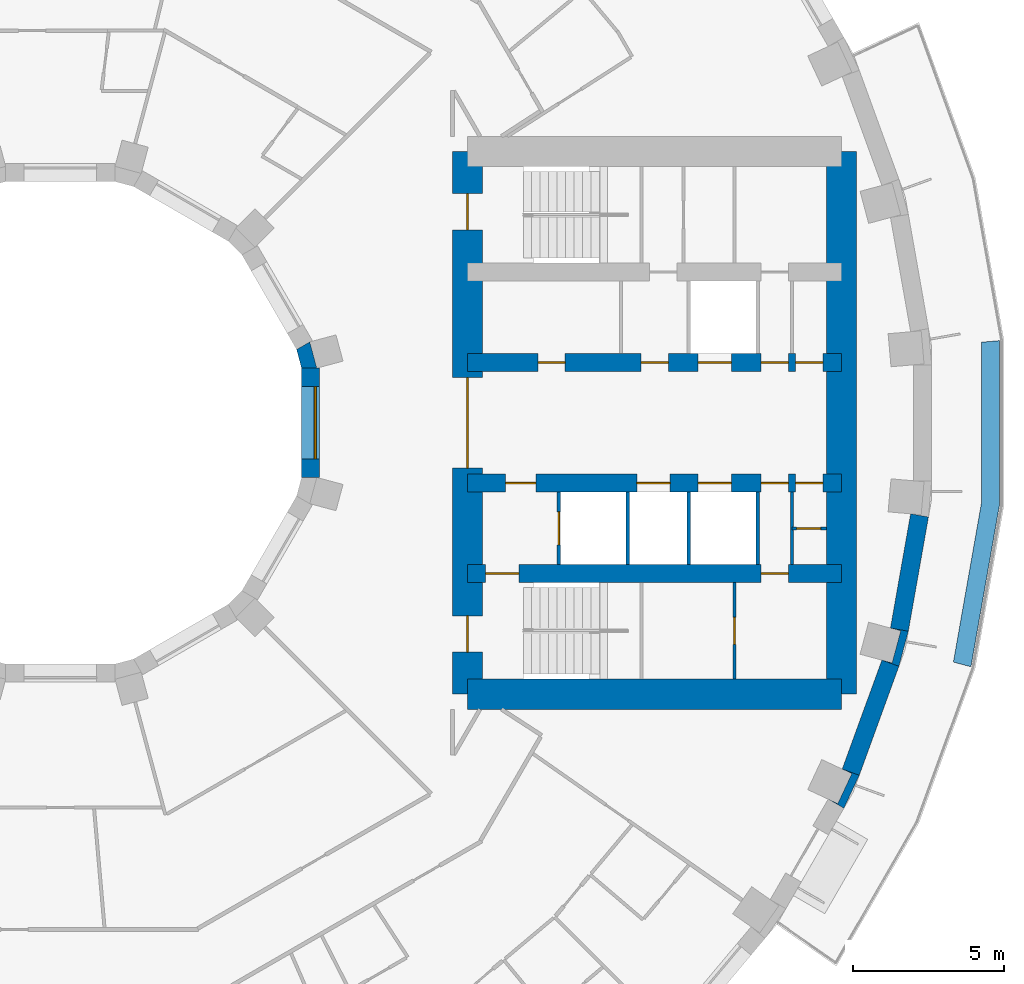
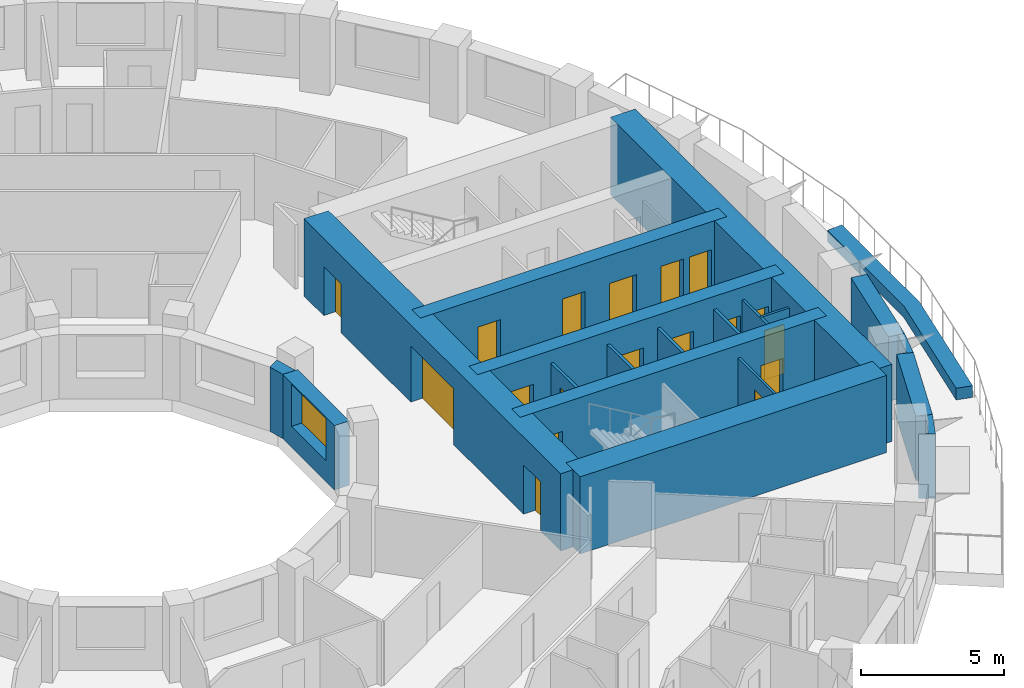
# One storey, part 7 of 14: 20 walls, 18 doors, 1 window, 19 openings.
"""IFC4 building model written with IfcOpenShell, lengths in metres."""

from ifc_helpers import new_model, si_unit, direction, frame, frame_2d, origin, place, context, subcontext, project, spatial, polyline, rectangle, outline, extrude, material, layer, layer_set, type_object, element, fill, save


model = new_model("IFC4")

# Units and contexts
model_context = context("Model", 3, precision=1e-05, world=origin(), true_north=direction((0.0, 1.0)))
body_context = subcontext(model_context, "Body", "Model", "MODEL_VIEW")
ifc_project = project(units=[si_unit("LENGTHUNIT", "METRE"), si_unit("AREAUNIT", "SQUARE_METRE"), si_unit("VOLUMEUNIT", "CUBIC_METRE"), si_unit("PLANEANGLEUNIT", "RADIAN"), si_unit("MASSUNIT", "GRAM", prefix="KILO")], contexts=[model_context])

# Site, building, storey
site_placement = place(None, origin())
site = spatial("IfcSite", under=ifc_project, at=site_placement, CompositionType="ELEMENT")
building_placement = place(site_placement, origin())
building = spatial("IfcBuilding", under=site, at=building_placement, Name="Saqina Gate Tower", CompositionType="ELEMENT")
storey_placement = place(building_placement, frame((0.0, 0.0, 49.39990234375)))
storey = spatial("IfcBuildingStorey", under=building, at=storey_placement, Name="L13", CompositionType="ELEMENT", Elevation=49.39990234375)

# Walls
ifc_material_1 = material(Name="Brick masonry (red)", Category="masonry")
wall_type_1 = type_object("IfcWallType", Name="BRICK PIER COPING RED", PredefinedType="SOLIDWALL", material=ifc_material_1)
wall_1_placement = place(storey_placement, origin())
element("IfcWall", 1, at=wall_1_placement, inside=storey, type_object=wall_type_1, Name="Pier cap L13 column 34", PredefinedType="SOLIDWALL", context=body_context, shape_type="SweptSolid", body=[
    extrude(outline(polyline([(26.48974609375, -11.687744140625), (25.92578125, -11.482666015625), (26.243408203125, -11.630615234375), (25.778564453125, -12.627685546875), (25.4609375, -12.4794921875), (25.980712890625, -12.779541015625), (26.48974609375, -11.687744140625)])), origin(), (0.0, 0.0, 1.0), 2.75),
])
wall_2_placement = place(storey_placement, origin())
element("IfcWall", 2, at=wall_2_placement, inside=storey, type_object=wall_type_1, Name="Pier cap L13 column 35", PredefinedType="SOLIDWALL", context=body_context, shape_type="SweptSolid", body=[
    extrude(outline(polyline([(28.11669921875, -6.910400390625), (27.52587890625, -6.80615234375), (27.864501953125, -6.896728515625), (27.57958984375, -7.95947265625), (27.2412109375, -7.86865234375), (27.80517578125, -8.073974609375), (28.11669921875, -6.910400390625)])), origin(), (0.0, 0.0, 1.0), 2.75),
])
ifc_material_2 = material(Name="Gypsum board on steel studs", Category="steel")
ifc_layer_1 = layer(ifc_material_2, 0.10009765625)
ifc_layer_set_1 = layer_set([ifc_layer_1], Name="CORE PARTITION")
wall_type_2 = type_object("IfcWallType", Name="CORE PARTITION", PredefinedType="PARTITIONING", material=ifc_layer_set_1)
wall_3_placement = place(storey_placement, frame((24.260009765625, -4.699951171875, 0.0), z_axis=(0.0, 0.0, 1.0), x_axis=(0.0, 1.0, 0.0)))
element("IfcWall", 3, at=wall_3_placement, inside=storey, type_object=wall_type_2, Name="L13-CP-E09", PredefinedType="PARTITIONING", context=body_context, shape_type="SweptSolid", body=[
    extrude(rectangle(XDim=2.39990234375, YDim=0.10009765625, at=frame_2d((1.199951171875, 0.0))), origin(), (0.0, 0.0, 1.0), 2.75),
])

# Wall, opening, door
wall_4_placement = place(storey_placement, frame((24.260009765625, -3.5, 0.0), z_axis=(0.0, 0.0, 1.0), x_axis=(1.0, 0.0, 0.0)))
wall_4 = element("IfcWall", 4, at=wall_4_placement, inside=storey, type_object=wall_type_2, Name="L13-CP-E10", PredefinedType="PARTITIONING", context=body_context, shape_type="SweptSolid", body=[
    extrude(rectangle(XDim=1.139892578125, YDim=0.10009765625, at=frame_2d((0.56982421875, 0.0))), origin(), (0.0, 0.0, 1.0), 2.75),
])
opening_1_placement = place(wall_4_placement, frame((0.14990234375, 0.0, 0.0)))
opening_1 = element("IfcOpeningElement", 5, at=opening_1_placement, cuts=wall_4, Name="Opening G03-D100", PredefinedType="OPENING", context=body_context, shape_type="SweptSolid", body=[
    extrude(rectangle(XDim=0.800048828125, YDim=2.10009765625, at=frame_2d((0.39990234375, 1.050048828125))), frame((0.0, 0.06201171875, 0.0), z_axis=(0.0, -1.0, 0.0), x_axis=(1.0, 0.0, 0.0)), (0.0, 0.0, 1.0), 0.1240234375),
])
ifc_material_3 = material(Name="Steel-framed fire door leaf, EI 60", Category="steel")
door_type_1 = type_object("IfcDoorType", Name="SERVICE ROOM DOOR 800", OperationType="SINGLE_SWING_LEFT", PredefinedType="DOOR", material=ifc_material_3)
door_1_placement = place(opening_1_placement, frame((0.800048828125, 0.0, 0.0), z_axis=(0.0, 0.0, 1.0), x_axis=(-1.0, 0.0, 0.0)))
door_1 = element("IfcDoor", 6, at=door_1_placement, inside=storey, type_object=door_type_1, Name="L13-CD-E11", OperationType="SINGLE_SWING_LEFT", OverallHeight=2.10009765625, OverallWidth=0.800048828125, PredefinedType="DOOR", context=body_context, shape_type="SweptSolid", body=[
    extrude(rectangle(XDim=0.800048828125, YDim=2.10009765625, at=frame_2d((0.39990234375, 1.050048828125))), frame((0.0, 0.02490234375, 0.0), z_axis=(0.0, -1.0, 0.0), x_axis=(1.0, 0.0, 0.0)), (0.0, 0.0, 1.0), 0.050048828125),
])
fill(opening_1, door_1)

wall_5_placement = place(storey_placement, frame((22.360107421875, -8.5, 0.0), z_axis=(0.0, 0.0, 1.0), x_axis=(0.0, 1.0, 0.0)))
wall_5 = element("IfcWall", 7, at=wall_5_placement, inside=storey, type_object=wall_type_2, Name="L13-CP-E15", PredefinedType="PARTITIONING", context=body_context, shape_type="SweptSolid", body=[
    extrude(rectangle(XDim=3.199951171875, YDim=0.10009765625, at=frame_2d((1.60009765625, 0.0))), origin(), (0.0, 0.0, 1.0), 2.75),
])
opening_2_placement = place(wall_5_placement, frame((1.14990234375, 0.0, 0.0)))
opening_2 = element("IfcOpeningElement", 8, at=opening_2_placement, cuts=wall_5, Name="Opening G03-D101", PredefinedType="OPENING", context=body_context, shape_type="SweptSolid", body=[
    extrude(rectangle(XDim=0.89990234375, YDim=2.10009765625, at=frame_2d((0.449951171875, 1.050048828125))), frame((0.0, 0.06201171875, 0.0), z_axis=(0.0, -1.0, 0.0), x_axis=(1.0, 0.0, 0.0)), (0.0, 0.0, 1.0), 0.1240234375),
])
ifc_material_4 = material(Name="Steel-framed fire door leaf, EI 60", Category="steel")
door_type_2 = type_object("IfcDoorType", Name="SERVICE ROOM DOOR 900", OperationType="SINGLE_SWING_LEFT", PredefinedType="DOOR", material=ifc_material_4)
door_2_placement = place(opening_2_placement, origin())
door_2 = element("IfcDoor", 9, at=door_2_placement, inside=storey, type_object=door_type_2, Name="L13-CD-E12", OperationType="SINGLE_SWING_LEFT", OverallHeight=2.10009765625, OverallWidth=0.89990234375, PredefinedType="DOOR", context=body_context, shape_type="SweptSolid", body=[
    extrude(rectangle(XDim=0.89990234375, YDim=2.10009765625, at=frame_2d((0.449951171875, 1.050048828125))), frame((0.0, 0.02490234375, 0.0), z_axis=(0.0, -1.0, 0.0), x_axis=(1.0, 0.0, 0.0)), (0.0, 0.0, 1.0), 0.050048828125),
])
fill(opening_2, door_2)

# Walls
ifc_material_5 = material(Name="Glazed ceramic tile", Category="ceramic")
ifc_layer_2 = layer(ifc_material_5, 0.60009765625)
ifc_layer_set_2 = layer_set([ifc_layer_2], Name="FW-TILE")
wall_type_3 = type_object("IfcWallType", Name="FW-TILE", PredefinedType="SOLIDWALL", material=ifc_layer_set_2)
wall_6_placement = place(storey_placement, frame((26.207763671875, -11.585205078125, 0.0), z_axis=(0.0, 0.0, 1.0), x_axis=(0.342028474173, 0.939689588564, 0.0)))
element("IfcWall", 10, at=wall_6_placement, inside=storey, type_object=wall_type_3, Name="Facade wall L13 facet 34", PredefinedType="SOLIDWALL", context=body_context, shape_type="SweptSolid", body=[
    extrude(rectangle(XDim=3.845947265625, YDim=0.60009765625, at=frame_2d((1.9228515625, 0.0))), origin(), (0.0, 0.0, 1.0), 2.75),
])
ifc_material_6 = material(Name="Glazed ceramic tile (white)", Category="ceramic")
ifc_layer_3 = layer(ifc_material_6, 0.60009765625)
ifc_layer_set_3 = layer_set([ifc_layer_3], Name="FW-TILE-WH")
wall_type_4 = type_object("IfcWallType", Name="FW-TILE-WH", PredefinedType="SOLIDWALL", material=ifc_layer_set_3)
wall_7_placement = place(storey_placement, frame((27.8212890625, -6.858154296875, 0.0), z_axis=(0.0, 0.0, 1.0), x_axis=(0.173687553279, 0.984800809218, 0.0)))
element("IfcWall", 11, at=wall_7_placement, inside=storey, type_object=wall_type_4, Name="Facade wall L13 facet 35", PredefinedType="SOLIDWALL", context=body_context, shape_type="SweptSolid", body=[
    extrude(rectangle(XDim=3.845703125, YDim=0.60009765625, at=frame_2d((1.9228515625, 0.0))), origin(), (0.0, 0.0, 1.0), 2.75),
])

# Wall, opening, window
ifc_material_7 = material(Name="Glazed ceramic tile", Category="ceramic")
ifc_layer_4 = layer(ifc_material_7, 0.60009765625)
ifc_layer_set_4 = layer_set([ifc_layer_4], Name="IW-TILE")
wall_type_5 = type_object("IfcWallType", Name="IW-TILE", PredefinedType="SOLIDWALL", material=ifc_layer_set_4)
wall_8_placement = place(storey_placement, frame((8.300048828125, -1.8125, 0.0), z_axis=(0.0, 0.0, 1.0), x_axis=(0.0, 1.0, 0.0)))
wall_8 = element("IfcWall", 12, at=wall_8_placement, inside=storey, type_object=wall_type_5, Name="Well wall L13 facet 12", PredefinedType="SOLIDWALL", context=body_context, shape_type="SweptSolid", body=[
    extrude(rectangle(XDim=3.625, YDim=0.60009765625, at=frame_2d((1.8125, 0.0))), origin(), (0.0, 0.0, 1.0), 2.75),
])
opening_3_placement = place(wall_8_placement, frame((0.612548828125, 0.0, 0.89990234375)))
opening_3 = element("IfcOpeningElement", 13, at=opening_3_placement, cuts=wall_8, Name="Opening G03-W37", PredefinedType="OPENING", context=body_context, shape_type="SweptSolid", body=[
    extrude(rectangle(XDim=2.39990234375, YDim=1.800048828125, at=frame_2d((1.199951171875, 0.89990234375))), frame((0.0, 0.31201171875, 0.0), z_axis=(0.0, -1.0, 0.0), x_axis=(1.0, 0.0, 0.0)), (0.0, 0.0, 1.0), 0.6240234375),
])
ifc_material_8 = material(Name="Aluminium glazing", Category="aluminium")
window_type = type_object("IfcWindowType", Name="WN-W", PartitioningType="SINGLE_PANEL", PredefinedType="WINDOW", material=ifc_material_8)
window_placement = place(opening_3_placement, origin())
window = element("IfcWindow", 14, at=window_placement, inside=storey, type_object=window_type, Name="Well window L13 facet 12", OverallHeight=1.800048828125, OverallWidth=2.39990234375, PartitioningType="SINGLE_PANEL", PredefinedType="WINDOW", context=body_context, shape_type="SweptSolid", body=[
    extrude(rectangle(XDim=2.39990234375, YDim=1.800048828125, at=frame_2d((1.199951171875, 0.89990234375))), frame((0.0, -0.119873046875, 0.0), z_axis=(0.0, -1.0, 0.0), x_axis=(1.0, 0.0, 0.0)), (0.0, 0.0, 1.0), 0.06005859375),
])
fill(opening_3, window)

# Wall
ifc_material_9 = material(Name="Brick masonry (red)", Category="masonry")
ifc_layer_5 = layer(ifc_material_9, 0.60009765625)
ifc_layer_set_5 = layer_set([ifc_layer_5], Name="PL-PLANTER")
wall_type_6 = type_object("IfcWallType", Name="PL-PLANTER", PredefinedType="PARAPET", material=ifc_layer_set_5)
wall_9_placement = place(storey_placement, origin())
element("IfcWall", 15, at=wall_9_placement, inside=storey, type_object=wall_type_6, Name="Planter L13", PredefinedType="PARAPET", context=body_context, shape_type="SweptSolid", body=[
    extrude(outline(polyline([(30.193603515625, -8.09033203125), (31.1396484375, -2.724365234375), (31.1396484375, 2.724365234375), (30.53955078125, 2.671875), (30.53955078125, -2.671875), (29.61181640625, -7.934326171875), (30.193603515625, -8.09033203125)])), origin(), (0.0, 0.0, 1.0), 0.5),
])

# Wall, opening, door
ifc_material_10 = material(Name="Autoclaved aerated concrete block", Category="concrete")
ifc_layer_6 = layer(ifc_material_10, 0.1201171875)
ifc_layer_set_6 = layer_set([ifc_layer_6], Name="SHAFT PARTITION")
wall_type_7 = type_object("IfcWallType", Name="SHAFT PARTITION", PredefinedType="PARTITIONING", material=ifc_layer_set_6)
wall_10_placement = place(storey_placement, frame((16.530029296875, -4.699951171875, 0.0), z_axis=(0.0, 0.0, 1.0), x_axis=(0.0, 1.0, 0.0)))
wall_10 = element("IfcWall", 16, at=wall_10_placement, inside=storey, type_object=wall_type_7, Name="L13-CP-E05", PredefinedType="PARTITIONING", context=body_context, shape_type="SweptSolid", body=[
    extrude(rectangle(XDim=2.39990234375, YDim=0.1201171875, at=frame_2d((1.199951171875, 0.0))), origin(), (0.0, 0.0, 1.0), 2.75),
])
opening_4_placement = place(wall_10_placement, frame((0.64990234375, 0.0, 0.0)))
opening_4 = element("IfcOpeningElement", 17, at=opening_4_placement, cuts=wall_10, Name="Opening G03-LD2", PredefinedType="OPENING", context=body_context, shape_type="SweptSolid", body=[
    extrude(rectangle(XDim=1.10009765625, YDim=2.10009765625, at=frame_2d((0.550048828125, 1.050048828125))), frame((0.0, 0.072021484375, 0.0), z_axis=(0.0, -1.0, 0.0), x_axis=(1.0, 0.0, 0.0)), (0.0, 0.0, 1.0), 0.14404296875),
])
ifc_material_11 = material(Name="Stainless steel", Category="steel")
door_type_3 = type_object("IfcDoorType", Name="LANDING DOOR", OperationType="DOUBLE_DOOR_SLIDING", PredefinedType="DOOR", material=ifc_material_11)
door_3_placement = place(opening_4_placement, origin())
door_3 = element("IfcDoor", 18, at=door_3_placement, inside=storey, type_object=door_type_3, Name="LANDING DOOR FF1", OperationType="DOUBLE_DOOR_SLIDING", OverallHeight=2.10009765625, OverallWidth=1.10009765625, PredefinedType="DOOR", context=body_context, shape_type="SweptSolid", body=[
    extrude(rectangle(XDim=1.10009765625, YDim=2.10009765625, at=frame_2d((0.550048828125, 1.050048828125))), frame((0.0, 0.02490234375, 0.0), z_axis=(0.0, -1.0, 0.0), x_axis=(1.0, 0.0, 0.0)), (0.0, 0.0, 1.0), 0.050048828125),
])
fill(opening_4, door_3)

# Walls
for number, where, z_axis, x_axis, name in (
    (19, (18.81005859375, -4.699951171875, 0.0), (0.0, 0.0, 1.0), (0.0, 1.0, 0.0), "L13-CP-E06"),
    (20, (20.840087890625, -4.699951171875, 0.0), (0.0, 0.0, 1.0), (0.0, 1.0, 0.0), "L13-CP-E07"),
    (21, (23.1201171875, -4.699951171875, 0.0), (0.0, 0.0, 1.0), (0.0, 1.0, 0.0), "L13-CP-E08"),
):
    element("IfcWall", number, at=place(storey_placement, frame(where, z_axis=z_axis, x_axis=x_axis)), inside=storey, type_object=wall_type_7, Name=name, PredefinedType="PARTITIONING", context=body_context, shape_type="SweptSolid", body=[
        extrude(rectangle(XDim=2.39990234375, YDim=0.1201171875, at=frame_2d((1.199951171875, 0.0))), origin(), (0.0, 0.0, 1.0), 2.75),
    ])

# Wall, openings, doors
ifc_material_12 = material(Name="Concrete C70/85", Category="concrete")
ifc_layer_7 = layer(ifc_material_12, 0.60009765625)
ifc_layer_set_7 = layer_set([ifc_layer_7], Name="Concrete C70/85")
wall_type_8 = type_object("IfcWallType", Name="STR-CORE WALL-A-I", PredefinedType="SHEAR", material=ifc_layer_set_7)
wall_11_placement = place(storey_placement, frame((13.5, -5.0, 0.0), z_axis=(0.0, 0.0, 1.0), x_axis=(1.0, 0.0, 0.0)))
wall_11 = element("IfcWall", 22, at=wall_11_placement, inside=storey, type_object=wall_type_8, Name="CORE WALL L13 E-X2", PredefinedType="SHEAR", context=body_context, shape_type="SweptSolid", body=[
    extrude(rectangle(XDim=12.39990234375, YDim=0.60009765625, at=frame_2d((6.199951171875, 0.0))), origin(), (0.0, 0.0, 1.0), 3.300048828125),
])
opening_5_placement = place(wall_11_placement, frame((9.739990234375, 0.0, 0.0)))
opening_5 = element("IfcOpeningElement", 23, at=opening_5_placement, cuts=wall_11, Name="Opening G03-D102", PredefinedType="OPENING", context=body_context, shape_type="SweptSolid", body=[
    extrude(rectangle(XDim=0.89990234375, YDim=2.10009765625, at=frame_2d((0.449951171875, 1.050048828125))), frame((0.0, 0.31201171875, 0.0), z_axis=(0.0, -1.0, 0.0), x_axis=(1.0, 0.0, 0.0)), (0.0, 0.0, 1.0), 0.6240234375),
])
opening_6_placement = place(wall_11_placement, frame((0.60009765625, 0.0, 0.0)))
opening_6 = element("IfcOpeningElement", 24, at=opening_6_placement, cuts=wall_11, Name="Opening G03-D103", PredefinedType="OPENING", context=body_context, shape_type="SweptSolid", body=[
    extrude(rectangle(XDim=1.10009765625, YDim=2.10009765625, at=frame_2d((0.550048828125, 1.050048828125))), frame((0.0, 0.31201171875, 0.0), z_axis=(0.0, -1.0, 0.0), x_axis=(1.0, 0.0, 0.0)), (0.0, 0.0, 1.0), 0.6240234375),
])
ifc_material_13 = material(Name="Steel", Category="steel")
door_type_4 = type_object("IfcDoorType", Name="FIRE LOBBY DOOR EI 60 WIDE", OperationType="SINGLE_SWING_LEFT", PredefinedType="DOOR", material=ifc_material_13)
door_4_placement = place(opening_6_placement, frame((1.10009765625, 0.0, 0.0), z_axis=(0.0, 0.0, 1.0), x_axis=(-1.0, 0.0, 0.0)))
door_4 = element("IfcDoor", 25, at=door_4_placement, inside=storey, type_object=door_type_4, Name="L13-CD-E14", OperationType="SINGLE_SWING_RIGHT", OverallHeight=2.10009765625, OverallWidth=1.10009765625, PredefinedType="DOOR", context=body_context, shape_type="SweptSolid", body=[
    extrude(rectangle(XDim=1.10009765625, YDim=2.10009765625, at=frame_2d((0.550048828125, 1.050048828125))), frame((0.0, 0.02490234375, 0.0), z_axis=(0.0, -1.0, 0.0), x_axis=(1.0, 0.0, 0.0)), (0.0, 0.0, 1.0), 0.050048828125),
])
fill(opening_6, door_4)
door_5_placement = place(opening_5_placement, frame((0.89990234375, 0.0, 0.0), z_axis=(0.0, 0.0, 1.0), x_axis=(-1.0, 0.0, 0.0)))
door_5 = element("IfcDoor", 26, at=door_5_placement, inside=storey, type_object=door_type_2, Name="L13-CD-E13", OperationType="SINGLE_SWING_LEFT", OverallHeight=2.10009765625, OverallWidth=0.89990234375, PredefinedType="DOOR", context=body_context, shape_type="SweptSolid", body=[
    extrude(rectangle(XDim=0.89990234375, YDim=2.10009765625, at=frame_2d((0.449951171875, 1.050048828125))), frame((0.0, 0.02490234375, 0.0), z_axis=(0.0, -1.0, 0.0), x_axis=(1.0, 0.0, 0.0)), (0.0, 0.0, 1.0), 0.050048828125),
])
fill(opening_5, door_5)

wall_12_placement = place(storey_placement, frame((13.5, 2.0, 0.0), z_axis=(0.0, 0.0, 1.0), x_axis=(1.0, 0.0, 0.0)))
wall_12 = element("IfcWall", 27, at=wall_12_placement, inside=storey, type_object=wall_type_8, Name="CORE WALL L13 E-L1", PredefinedType="SHEAR", context=body_context, shape_type="SweptSolid", body=[
    extrude(rectangle(XDim=12.39990234375, YDim=0.60009765625, at=frame_2d((6.199951171875, 0.0))), origin(), (0.0, 0.0, 1.0), 3.300048828125),
])
opening_7_placement = place(wall_12_placement, frame((7.64990234375, 0.0, 0.0)))
opening_7 = element("IfcOpeningElement", 28, at=opening_7_placement, cuts=wall_12, Name="Opening G03-LD1", PredefinedType="OPENING", context=body_context, shape_type="SweptSolid", body=[
    extrude(rectangle(XDim=1.10009765625, YDim=2.10009765625, at=frame_2d((0.550048828125, 1.050048828125))), frame((0.0, 0.31201171875, 0.0), z_axis=(0.0, -1.0, 0.0), x_axis=(1.0, 0.0, 0.0)), (0.0, 0.0, 1.0), 0.6240234375),
])
opening_8_placement = place(wall_12_placement, frame((2.34130859375, 0.0, 0.0)))
opening_8 = element("IfcOpeningElement", 29, at=opening_8_placement, cuts=wall_12, Name="Opening G03-D90", PredefinedType="OPENING", context=body_context, shape_type="SweptSolid", body=[
    extrude(rectangle(XDim=0.89990234375, YDim=2.10009765625, at=frame_2d((0.449951171875, 1.050048828125))), frame((0.0, 0.31201171875, 0.0), z_axis=(0.0, -1.0, 0.0), x_axis=(1.0, 0.0, 0.0)), (0.0, 0.0, 1.0), 0.6240234375),
])
opening_9_placement = place(wall_12_placement, frame((5.761474609375, 0.0, 0.0)))
opening_9 = element("IfcOpeningElement", 30, at=opening_9_placement, cuts=wall_12, Name="Opening G03-D91", PredefinedType="OPENING", context=body_context, shape_type="SweptSolid", body=[
    extrude(rectangle(XDim=0.89990234375, YDim=2.10009765625, at=frame_2d((0.449951171875, 1.050048828125))), frame((0.0, 0.31201171875, 0.0), z_axis=(0.0, -1.0, 0.0), x_axis=(1.0, 0.0, 0.0)), (0.0, 0.0, 1.0), 0.6240234375),
])
opening_10_placement = place(wall_12_placement, frame((9.739990234375, 0.0, 0.0)))
opening_10 = element("IfcOpeningElement", 31, at=opening_10_placement, cuts=wall_12, Name="Opening G03-D92", PredefinedType="OPENING", context=body_context, shape_type="SweptSolid", body=[
    extrude(rectangle(XDim=0.89990234375, YDim=2.10009765625, at=frame_2d((0.449951171875, 1.050048828125))), frame((0.0, 0.31201171875, 0.0), z_axis=(0.0, -1.0, 0.0), x_axis=(1.0, 0.0, 0.0)), (0.0, 0.0, 1.0), 0.6240234375),
])
opening_11_placement = place(wall_12_placement, frame((10.8798828125, 0.0, 0.0)))
opening_11 = element("IfcOpeningElement", 32, at=opening_11_placement, cuts=wall_12, Name="Opening G03-D93", PredefinedType="OPENING", context=body_context, shape_type="SweptSolid", body=[
    extrude(rectangle(XDim=0.89990234375, YDim=2.10009765625, at=frame_2d((0.449951171875, 1.050048828125))), frame((0.0, 0.31201171875, 0.0), z_axis=(0.0, -1.0, 0.0), x_axis=(1.0, 0.0, 0.0)), (0.0, 0.0, 1.0), 0.6240234375),
])
door_6_placement = place(opening_7_placement, origin())
door_6 = element("IfcDoor", 33, at=door_6_placement, inside=storey, type_object=door_type_3, Name="LANDING DOOR LR1", OperationType="DOUBLE_DOOR_SLIDING", OverallHeight=2.10009765625, OverallWidth=1.10009765625, PredefinedType="DOOR", context=body_context, shape_type="SweptSolid", body=[
    extrude(rectangle(XDim=1.10009765625, YDim=2.10009765625, at=frame_2d((0.550048828125, 1.050048828125))), frame((0.0, 0.02490234375, 0.0), z_axis=(0.0, -1.0, 0.0), x_axis=(1.0, 0.0, 0.0)), (0.0, 0.0, 1.0), 0.050048828125),
])
fill(opening_7, door_6)
door_7_placement = place(opening_8_placement, origin())
door_7 = element("IfcDoor", 34, at=door_7_placement, inside=storey, type_object=door_type_2, Name="L13-CD-E01", OperationType="SINGLE_SWING_LEFT", OverallHeight=2.10009765625, OverallWidth=0.89990234375, PredefinedType="DOOR", context=body_context, shape_type="SweptSolid", body=[
    extrude(rectangle(XDim=0.89990234375, YDim=2.10009765625, at=frame_2d((0.449951171875, 1.050048828125))), frame((0.0, 0.02490234375, 0.0), z_axis=(0.0, -1.0, 0.0), x_axis=(1.0, 0.0, 0.0)), (0.0, 0.0, 1.0), 0.050048828125),
])
fill(opening_8, door_7)
door_8_placement = place(opening_9_placement, origin())
door_8 = element("IfcDoor", 35, at=door_8_placement, inside=storey, type_object=door_type_2, Name="L13-CD-E02", OperationType="SINGLE_SWING_RIGHT", OverallHeight=2.10009765625, OverallWidth=0.89990234375, PredefinedType="DOOR", context=body_context, shape_type="SweptSolid", body=[
    extrude(rectangle(XDim=0.89990234375, YDim=2.10009765625, at=frame_2d((0.449951171875, 1.050048828125))), frame((0.0, 0.02490234375, 0.0), z_axis=(0.0, -1.0, 0.0), x_axis=(1.0, 0.0, 0.0)), (0.0, 0.0, 1.0), 0.050048828125),
])
fill(opening_9, door_8)
door_9_placement = place(opening_10_placement, origin())
door_9 = element("IfcDoor", 36, at=door_9_placement, inside=storey, type_object=door_type_2, Name="L13-CD-E03", OperationType="SINGLE_SWING_LEFT", OverallHeight=2.10009765625, OverallWidth=0.89990234375, PredefinedType="DOOR", context=body_context, shape_type="SweptSolid", body=[
    extrude(rectangle(XDim=0.89990234375, YDim=2.10009765625, at=frame_2d((0.449951171875, 1.050048828125))), frame((0.0, 0.02490234375, 0.0), z_axis=(0.0, -1.0, 0.0), x_axis=(1.0, 0.0, 0.0)), (0.0, 0.0, 1.0), 0.050048828125),
])
fill(opening_10, door_9)
door_10_placement = place(opening_11_placement, origin())
door_10 = element("IfcDoor", 37, at=door_10_placement, inside=storey, type_object=door_type_2, Name="L13-CD-E04", OperationType="SINGLE_SWING_RIGHT", OverallHeight=2.10009765625, OverallWidth=0.89990234375, PredefinedType="DOOR", context=body_context, shape_type="SweptSolid", body=[
    extrude(rectangle(XDim=0.89990234375, YDim=2.10009765625, at=frame_2d((0.449951171875, 1.050048828125))), frame((0.0, 0.02490234375, 0.0), z_axis=(0.0, -1.0, 0.0), x_axis=(1.0, 0.0, 0.0)), (0.0, 0.0, 1.0), 0.050048828125),
])
fill(opening_11, door_10)

wall_13_placement = place(storey_placement, frame((13.5, -2.0, 0.0), z_axis=(0.0, 0.0, 1.0), x_axis=(1.0, 0.0, 0.0)))
wall_13 = element("IfcWall", 38, at=wall_13_placement, inside=storey, type_object=wall_type_8, Name="CORE WALL L13 E-L2", PredefinedType="SHEAR", context=body_context, shape_type="SweptSolid", body=[
    extrude(rectangle(XDim=12.39990234375, YDim=0.60009765625, at=frame_2d((6.199951171875, 0.0))), origin(), (0.0, 0.0, 1.0), 3.300048828125),
])
opening_12_placement = place(wall_13_placement, frame((5.6201171875, 0.0, 0.0)))
opening_12 = element("IfcOpeningElement", 39, at=opening_12_placement, cuts=wall_13, Name="Opening G03-LD3", PredefinedType="OPENING", context=body_context, shape_type="SweptSolid", body=[
    extrude(rectangle(XDim=1.10009765625, YDim=2.10009765625, at=frame_2d((0.550048828125, 1.050048828125))), frame((0.0, 0.31201171875, 0.0), z_axis=(0.0, -1.0, 0.0), x_axis=(1.0, 0.0, 0.0)), (0.0, 0.0, 1.0), 0.6240234375),
])
opening_13_placement = place(wall_13_placement, frame((7.64990234375, 0.0, 0.0)))
opening_13 = element("IfcOpeningElement", 40, at=opening_13_placement, cuts=wall_13, Name="Opening G03-LD4", PredefinedType="OPENING", context=body_context, shape_type="SweptSolid", body=[
    extrude(rectangle(XDim=1.10009765625, YDim=2.10009765625, at=frame_2d((0.550048828125, 1.050048828125))), frame((0.0, 0.31201171875, 0.0), z_axis=(0.0, -1.0, 0.0), x_axis=(1.0, 0.0, 0.0)), (0.0, 0.0, 1.0), 0.6240234375),
])
opening_14_placement = place(wall_13_placement, frame((1.264892578125, 0.0, 0.0)))
opening_14 = element("IfcOpeningElement", 41, at=opening_14_placement, cuts=wall_13, Name="Opening G03-D94", PredefinedType="OPENING", context=body_context, shape_type="SweptSolid", body=[
    extrude(rectangle(XDim=1.0, YDim=2.10009765625, at=frame_2d((0.5, 1.050048828125))), frame((0.0, 0.31201171875, 0.0), z_axis=(0.0, -1.0, 0.0), x_axis=(1.0, 0.0, 0.0)), (0.0, 0.0, 1.0), 0.6240234375),
])
opening_15_placement = place(wall_13_placement, frame((9.739990234375, 0.0, 0.0)))
opening_15 = element("IfcOpeningElement", 42, at=opening_15_placement, cuts=wall_13, Name="Opening G03-D95", PredefinedType="OPENING", context=body_context, shape_type="SweptSolid", body=[
    extrude(rectangle(XDim=0.89990234375, YDim=2.10009765625, at=frame_2d((0.449951171875, 1.050048828125))), frame((0.0, 0.31201171875, 0.0), z_axis=(0.0, -1.0, 0.0), x_axis=(1.0, 0.0, 0.0)), (0.0, 0.0, 1.0), 0.6240234375),
])
opening_16_placement = place(wall_13_placement, frame((10.8798828125, 0.0, 0.0)))
opening_16 = element("IfcOpeningElement", 43, at=opening_16_placement, cuts=wall_13, Name="Opening G03-D96", PredefinedType="OPENING", context=body_context, shape_type="SweptSolid", body=[
    extrude(rectangle(XDim=0.89990234375, YDim=2.10009765625, at=frame_2d((0.449951171875, 1.050048828125))), frame((0.0, 0.31201171875, 0.0), z_axis=(0.0, -1.0, 0.0), x_axis=(1.0, 0.0, 0.0)), (0.0, 0.0, 1.0), 0.6240234375),
])
ifc_material_14 = material(Name="Steel", Category="steel")
door_type_5 = type_object("IfcDoorType", Name="FIRE LOBBY DOOR EI 60", OperationType="SINGLE_SWING_LEFT", PredefinedType="DOOR", material=ifc_material_14)
door_11_placement = place(opening_14_placement, origin())
door_11 = element("IfcDoor", 44, at=door_11_placement, inside=storey, type_object=door_type_5, Name="L13-CD-E05", OperationType="SINGLE_SWING_LEFT", OverallHeight=2.10009765625, OverallWidth=1.0, PredefinedType="DOOR", context=body_context, shape_type="SweptSolid", body=[
    extrude(rectangle(XDim=1.0, YDim=2.10009765625, at=frame_2d((0.5, 1.050048828125))), frame((0.0, 0.02490234375, 0.0), z_axis=(0.0, -1.0, 0.0), x_axis=(1.0, 0.0, 0.0)), (0.0, 0.0, 1.0), 0.050048828125),
])
fill(opening_14, door_11)
door_12_placement = place(opening_12_placement, origin())
door_12 = element("IfcDoor", 45, at=door_12_placement, inside=storey, type_object=door_type_3, Name="LANDING DOOR LR3", OperationType="DOUBLE_DOOR_SLIDING", OverallHeight=2.10009765625, OverallWidth=1.10009765625, PredefinedType="DOOR", context=body_context, shape_type="SweptSolid", body=[
    extrude(rectangle(XDim=1.10009765625, YDim=2.10009765625, at=frame_2d((0.550048828125, 1.050048828125))), frame((0.0, 0.02490234375, 0.0), z_axis=(0.0, -1.0, 0.0), x_axis=(1.0, 0.0, 0.0)), (0.0, 0.0, 1.0), 0.050048828125),
])
fill(opening_12, door_12)
door_13_placement = place(opening_13_placement, origin())
door_13 = element("IfcDoor", 46, at=door_13_placement, inside=storey, type_object=door_type_3, Name="LANDING DOOR LR2", OperationType="DOUBLE_DOOR_SLIDING", OverallHeight=2.10009765625, OverallWidth=1.10009765625, PredefinedType="DOOR", context=body_context, shape_type="SweptSolid", body=[
    extrude(rectangle(XDim=1.10009765625, YDim=2.10009765625, at=frame_2d((0.550048828125, 1.050048828125))), frame((0.0, 0.02490234375, 0.0), z_axis=(0.0, -1.0, 0.0), x_axis=(1.0, 0.0, 0.0)), (0.0, 0.0, 1.0), 0.050048828125),
])
fill(opening_13, door_13)
door_14_placement = place(opening_15_placement, frame((0.89990234375, 0.0, 0.0), z_axis=(0.0, 0.0, 1.0), x_axis=(-1.0, 0.0, 0.0)))
door_14 = element("IfcDoor", 47, at=door_14_placement, inside=storey, type_object=door_type_2, Name="L13-CD-E06", OperationType="SINGLE_SWING_RIGHT", OverallHeight=2.10009765625, OverallWidth=0.89990234375, PredefinedType="DOOR", context=body_context, shape_type="SweptSolid", body=[
    extrude(rectangle(XDim=0.89990234375, YDim=2.10009765625, at=frame_2d((0.449951171875, 1.050048828125))), frame((0.0, 0.02490234375, 0.0), z_axis=(0.0, -1.0, 0.0), x_axis=(1.0, 0.0, 0.0)), (0.0, 0.0, 1.0), 0.050048828125),
])
fill(opening_15, door_14)
door_15_placement = place(opening_16_placement, frame((0.89990234375, 0.0, 0.0), z_axis=(0.0, 0.0, 1.0), x_axis=(-1.0, 0.0, 0.0)))
door_15 = element("IfcDoor", 48, at=door_15_placement, inside=storey, type_object=door_type_2, Name="L13-CD-E07", OperationType="SINGLE_SWING_LEFT", OverallHeight=2.10009765625, OverallWidth=0.89990234375, PredefinedType="DOOR", context=body_context, shape_type="SweptSolid", body=[
    extrude(rectangle(XDim=0.89990234375, YDim=2.10009765625, at=frame_2d((0.449951171875, 1.050048828125))), frame((0.0, 0.02490234375, 0.0), z_axis=(0.0, -1.0, 0.0), x_axis=(1.0, 0.0, 0.0)), (0.0, 0.0, 1.0), 0.050048828125),
])
fill(opening_16, door_15)

ifc_material_15 = material(Name="Concrete C70/85", Category="concrete")
ifc_layer_8 = layer(ifc_material_15, 1.0)
ifc_layer_set_8 = layer_set([ifc_layer_8], Name="Concrete C70/85")
wall_type_9 = type_object("IfcWallType", Name="STR-CORE WALL-A-O", PredefinedType="SHEAR", material=ifc_layer_set_8)
wall_14_placement = place(storey_placement, frame((13.5, -9.0, 0.0), z_axis=(0.0, 0.0, 1.0), x_axis=(0.0, 1.0, 0.0)))
wall_14 = element("IfcWall", 49, at=wall_14_placement, inside=storey, type_object=wall_type_9, Name="CORE WALL L13 E-W1", PredefinedType="SHEAR", context=body_context, shape_type="SweptSolid", body=[
    extrude(rectangle(XDim=18.0, YDim=1.0, at=frame_2d((9.0, 0.0))), origin(), (0.0, 0.0, 1.0), 3.300048828125),
])
opening_17_placement = place(wall_14_placement, frame((15.39990234375, 0.0, 0.0)))
opening_17 = element("IfcOpeningElement", 50, at=opening_17_placement, cuts=wall_14, Name="Opening G03-D104", PredefinedType="OPENING", context=body_context, shape_type="SweptSolid", body=[
    extrude(rectangle(XDim=1.199951171875, YDim=2.10009765625, at=frame_2d((0.60009765625, 1.050048828125))), frame((0.0, 0.511962890625, 0.0), z_axis=(0.0, -1.0, 0.0), x_axis=(1.0, 0.0, 0.0)), (0.0, 0.0, 1.0), 1.02392578125),
])
opening_18_placement = place(wall_14_placement, frame((1.39990234375, 0.0, 0.0)))
opening_18 = element("IfcOpeningElement", 51, at=opening_18_placement, cuts=wall_14, Name="Opening G03-D105", PredefinedType="OPENING", context=body_context, shape_type="SweptSolid", body=[
    extrude(rectangle(XDim=1.199951171875, YDim=2.10009765625, at=frame_2d((0.60009765625, 1.050048828125))), frame((0.0, 0.511962890625, 0.0), z_axis=(0.0, -1.0, 0.0), x_axis=(1.0, 0.0, 0.0)), (0.0, 0.0, 1.0), 1.02392578125),
])
opening_19_placement = place(wall_14_placement, frame((7.5, 0.0, 0.0)))
opening_19 = element("IfcOpeningElement", 52, at=opening_19_placement, cuts=wall_14, Name="Opening G03-D106", PredefinedType="OPENING", context=body_context, shape_type="SweptSolid", body=[
    extrude(rectangle(XDim=3.0, YDim=2.39990234375, at=frame_2d((1.5, 1.199951171875))), frame((0.0, 0.511962890625, 0.0), z_axis=(0.0, -1.0, 0.0), x_axis=(1.0, 0.0, 0.0)), (0.0, 0.0, 1.0), 1.02392578125),
])
ifc_material_16 = material(Name="Steel", Category="steel")
door_type_6 = type_object("IfcDoorType", Name="FIRE DOOR EI 60", OperationType="SINGLE_SWING_LEFT", PredefinedType="DOOR", material=ifc_material_16)
door_16_placement = place(opening_17_placement, frame((1.199951171875, 0.0, 0.0), z_axis=(0.0, 0.0, 1.0), x_axis=(-1.0, 0.0, 0.0)))
door_16 = element("IfcDoor", 53, at=door_16_placement, inside=storey, type_object=door_type_6, Name="L13-CD-E15", OperationType="SINGLE_SWING_LEFT", OverallHeight=2.10009765625, OverallWidth=1.199951171875, PredefinedType="DOOR", context=body_context, shape_type="SweptSolid", body=[
    extrude(rectangle(XDim=1.199951171875, YDim=2.10009765625, at=frame_2d((0.60009765625, 1.050048828125))), frame((0.0, 0.02490234375, 0.0), z_axis=(0.0, -1.0, 0.0), x_axis=(1.0, 0.0, 0.0)), (0.0, 0.0, 1.0), 0.050048828125),
])
fill(opening_17, door_16)
door_17_placement = place(opening_18_placement, frame((1.199951171875, 0.0, 0.0), z_axis=(0.0, 0.0, 1.0), x_axis=(-1.0, 0.0, 0.0)))
door_17 = element("IfcDoor", 54, at=door_17_placement, inside=storey, type_object=door_type_6, Name="L13-CD-E16", OperationType="SINGLE_SWING_RIGHT", OverallHeight=2.10009765625, OverallWidth=1.199951171875, PredefinedType="DOOR", context=body_context, shape_type="SweptSolid", body=[
    extrude(rectangle(XDim=1.199951171875, YDim=2.10009765625, at=frame_2d((0.60009765625, 1.050048828125))), frame((0.0, 0.02490234375, 0.0), z_axis=(0.0, -1.0, 0.0), x_axis=(1.0, 0.0, 0.0)), (0.0, 0.0, 1.0), 0.050048828125),
])
fill(opening_18, door_17)
ifc_material_17 = material(Name="Steel and fire-resisting glass", Category="steel")
door_type_7 = type_object("IfcDoorType", Name="LOBBY SCREEN DOOR", OperationType="DOUBLE_DOOR_SLIDING", PredefinedType="DOOR", material=ifc_material_17)
door_18_placement = place(opening_19_placement, origin())
door_18 = element("IfcDoor", 55, at=door_18_placement, inside=storey, type_object=door_type_7, Name="L13-CD-E17", OperationType="DOUBLE_DOOR_SLIDING", OverallHeight=2.39990234375, OverallWidth=3.0, PredefinedType="DOOR", context=body_context, shape_type="SweptSolid", body=[
    extrude(rectangle(XDim=3.0, YDim=2.39990234375, at=frame_2d((1.5, 1.199951171875))), frame((0.0, 0.02490234375, 0.0), z_axis=(0.0, -1.0, 0.0), x_axis=(1.0, 0.0, 0.0)), (0.0, 0.0, 1.0), 0.050048828125),
])
fill(opening_19, door_18)

# Walls
wall_15_placement = place(storey_placement, frame((25.89990234375, -9.0, 0.0), z_axis=(0.0, 0.0, 1.0), x_axis=(0.0, 1.0, 0.0)))
element("IfcWall", 56, at=wall_15_placement, inside=storey, type_object=wall_type_9, Name="CORE WALL L13 E-W2", PredefinedType="SHEAR", context=body_context, shape_type="SweptSolid", body=[
    extrude(rectangle(XDim=18.0, YDim=1.0, at=frame_2d((9.0, 0.0))), origin(), (0.0, 0.0, 1.0), 3.300048828125),
])
wall_16_placement = place(storey_placement, frame((13.5, -9.0, 0.0), z_axis=(0.0, 0.0, 1.0), x_axis=(1.0, 0.0, 0.0)))
element("IfcWall", 57, at=wall_16_placement, inside=storey, type_object=wall_type_9, Name="CORE WALL L13 E-SE", PredefinedType="SHEAR", context=body_context, shape_type="SweptSolid", body=[
    extrude(rectangle(XDim=12.39990234375, YDim=1.0, at=frame_2d((6.199951171875, 0.0))), origin(), (0.0, 0.0, 1.0), 3.300048828125),
])
ifc_material_18 = material(Name="Glazed ceramic tile", Category="ceramic")
wall_type_10 = type_object("IfcWallType", Name="TILE PIER COPING", PredefinedType="SOLIDWALL", material=ifc_material_18)
wall_17_placement = place(storey_placement, origin())
element("IfcWall", 58, at=wall_17_placement, inside=storey, type_object=wall_type_10, Name="Well pier cap L13 column 1", PredefinedType="SOLIDWALL", context=body_context, shape_type="SweptSolid", body=[
    extrude(outline(polyline([(8.27001953125, 2.681884765625), (7.83447265625, 2.430419921875), (8.0, 1.8125), (8.502685546875, 1.8125), (8.27001953125, 2.681884765625)])), origin(), (0.0, 0.0, 1.0), 2.75),
])

save(model, "model.ifc")
